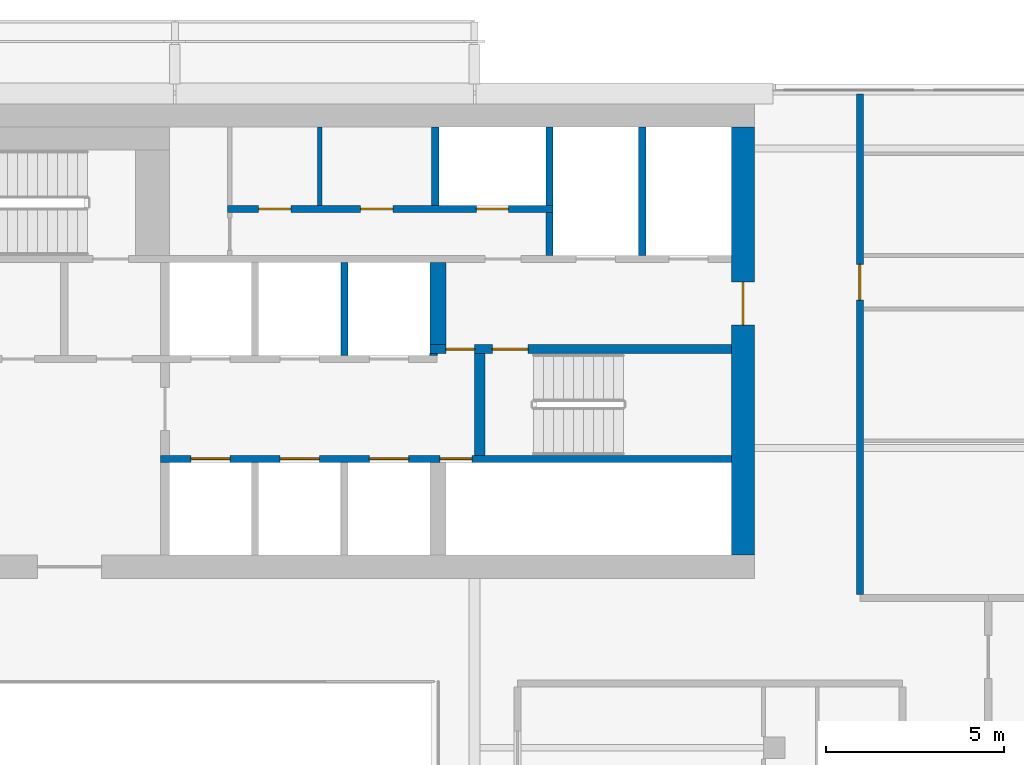
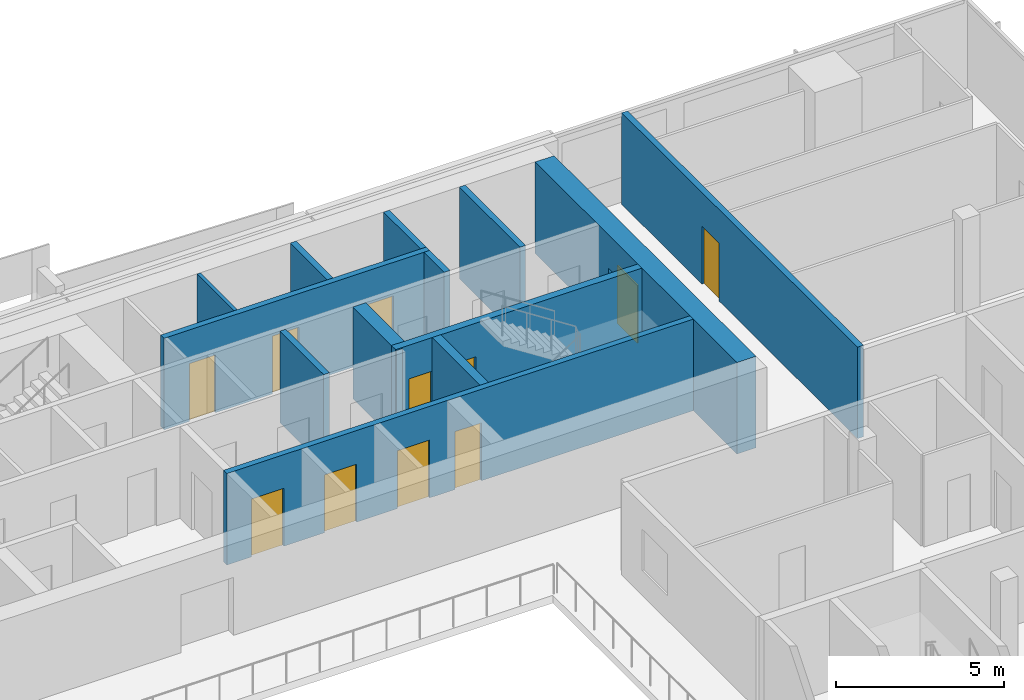
# One storey, part 23 of 27: 14 walls, 11 doors, 11 openings.
"""IFC4 building model written with IfcOpenShell, lengths in metres."""

import ifcopenshell
import ifcopenshell.guid

model = None  # the IFC model being written
_history = None  # IfcOwnerHistory: only IFC2X3 demands one
_inside = {}  # id of a spatial element -> (the spatial element, [elements in it])
_under = {}  # id of a project, library or spatial element -> (it, [spatial elements below it])
_declared = {}  # id of a project -> (the project, [libraries it declares])
_typed = {}  # id of a type object -> (the type object, [elements of that type])
_made_of = {}  # id of a material, layer set ... -> (it, [elements and type objects made of it])


def new_model(schema):
    """Start an empty IFC model of exactly this schema.

    Asked for "IFC4X3", IfcOpenShell would pick the latest addendum, in which some entities
    have other attributes; the version numbers below select the first issue.
    IFC2X3 requires an IfcOwnerHistory on every rooted entity: one is made here for all.
    """
    global model, _history
    if schema == "IFC4X3":
        model = ifcopenshell.file(schema_version=(4, 3, 0, 0))
    else:
        model = ifcopenshell.file(schema=schema)
    _inside.clear()
    _under.clear()
    _declared.clear()
    _typed.clear()
    _made_of.clear()
    _history = None
    if model.schema == "IFC2X3":
        org = make("IfcOrganization", Name="unknown")
        user = make(
            "IfcPersonAndOrganization",
            ThePerson=make("IfcPerson", FamilyName="unknown"),
            TheOrganization=org,
        )
        app = make(
            "IfcApplication",
            ApplicationDeveloper=org,
            Version="unknown",
            ApplicationFullName="unknown",
            ApplicationIdentifier="unknown",
        )
        _history = make(
            "IfcOwnerHistory",
            OwningUser=user,
            OwningApplication=app,
            ChangeAction="ADDED",
            CreationDate=0,
        )
    return model


def make(cls, **values):
    """One entity of the class cls with the attributes given. An attribute that is None is left unset."""
    return model.create_entity(
        cls, **{name: value for name, value in values.items() if value is not None}
    )


def rooted(cls, **values):
    """An entity with a GlobalId (a new one), such as an element, a storey or a relation."""
    return make(cls, GlobalId=ifcopenshell.guid.new(), OwnerHistory=_history, **values)


def si_unit(unit_type, name, prefix=None):
    """IfcSIUnit, for example si_unit("LENGTHUNIT", "METRE", prefix="MILLI")."""
    return make("IfcSIUnit", UnitType=unit_type, Prefix=prefix, Name=name)


def assignment(units):
    """IfcUnitAssignment: the units of a project."""
    return None if units is None else make("IfcUnitAssignment", Units=units)


def point(xyz):
    """IfcCartesianPoint."""
    return None if xyz is None else make("IfcCartesianPoint", Coordinates=xyz)


def direction(xyz):
    """IfcDirection."""
    return None if xyz is None else make("IfcDirection", DirectionRatios=xyz)


def frame(location, z_axis=None, x_axis=None):
    """IfcAxis2Placement3D, a coordinate frame: its origin and axes. An axis left out is left unset."""
    return make(
        "IfcAxis2Placement3D",
        Location=point(location),
        Axis=direction(z_axis),
        RefDirection=direction(x_axis),
    )


def frame_2d(location, x_axis=None):
    """IfcAxis2Placement2D, a coordinate frame in the plane: its origin and x axis."""
    return make(
        "IfcAxis2Placement2D", Location=point(location), RefDirection=direction(x_axis)
    )


def origin():
    """The frame at (0, 0, 0) with its axes left unset."""
    return frame((0.0, 0.0, 0.0))


def place(relative_to, where):
    """IfcLocalPlacement: puts the frame where relative to a parent placement (None: the world)."""
    return make(
        "IfcLocalPlacement", PlacementRelTo=relative_to, RelativePlacement=where
    )


def context(
    kind, dimensions, precision=None, world=None, true_north=None, identifier=None
):
    """IfcGeometricRepresentationContext, for example the 3D "Model" context."""
    return make(
        "IfcGeometricRepresentationContext",
        ContextIdentifier=identifier,
        ContextType=kind,
        CoordinateSpaceDimension=dimensions,
        Precision=precision,
        WorldCoordinateSystem=world,
        TrueNorth=true_north,
    )


def subcontext(parent, identifier, kind, view, scale=None):
    """IfcGeometricRepresentationSubContext, for example "Body" below "Model"."""
    return make(
        "IfcGeometricRepresentationSubContext",
        ContextIdentifier=identifier,
        ContextType=kind,
        ParentContext=parent,
        TargetScale=scale,
        TargetView=view,
    )


def project(units=None, contexts=None):
    """IfcProject with its units and contexts."""
    return rooted(
        "IfcProject",
        Name="project",
        RepresentationContexts=contexts,
        UnitsInContext=assignment(units),
    )


def spatial(cls, under=None, at=None, **own):
    """A site, building, storey or space (cls), placed at a placement, below another one or the project."""
    s = rooted(cls, ObjectPlacement=at, **own)
    if under is not None:
        _under.setdefault(under.id(), (under, []))[1].append(s)
    return s


def profile(cls, at=None, kind="AREA", **sizes):
    """A parametric profile (cls). Its sizes go by their IFC names, for example OverallWidth=200.0."""
    return make(cls, ProfileType=kind, Position=at, **sizes)


def rectangle(**sizes):
    """IfcRectangleProfileDef."""
    return profile("IfcRectangleProfileDef", **sizes)


def extrude(swept, where, along, depth):
    """IfcExtrudedAreaSolid: the profile swept, set in the frame where, extruded along a direction by depth."""
    return make(
        "IfcExtrudedAreaSolid",
        SweptArea=swept,
        Position=where,
        ExtrudedDirection=direction(along),
        Depth=depth,
    )


def shape(context_of_items, identifier, shape_type, items):
    """IfcShapeRepresentation: the items that make up one representation, for example the "Body"."""
    return make(
        "IfcShapeRepresentation",
        ContextOfItems=context_of_items,
        RepresentationIdentifier=identifier,
        RepresentationType=shape_type,
        Items=items,
    )


def material(Name=None, Category=None):
    """IfcMaterial."""
    return make("IfcMaterial", Name=Name, Category=Category)


def layer(
    of_material, thickness, ventilated=None, Name=None, Category=None, Priority=None
):
    """IfcMaterialLayer: one layer of a wall or slab, of a material (None: an air gap)."""
    return make(
        "IfcMaterialLayer",
        Material=of_material,
        LayerThickness=thickness,
        IsVentilated=ventilated,
        Name=Name,
        Category=Category,
        Priority=Priority,
    )


def layer_set(layers, Name=None):
    """IfcMaterialLayerSet."""
    return make("IfcMaterialLayerSet", MaterialLayers=layers, LayerSetName=Name)


def made_of(thing, what):
    """Note that an element or type object is made of a material, layer set ...; save() writes the relation."""
    if what is not None:
        _made_of.setdefault(what.id(), (what, []))[1].append(thing)
    return thing


def type_object(cls, material=None, **own):
    """A type object (cls), such as IfcWallType, which elements share."""
    return made_of(rooted(cls, **own), material)


def element(
    cls,
    number,
    at=None,
    inside=None,
    cuts=None,
    type_object=None,
    material=None,
    context=None,
    identifier="Body",
    shape_type=None,
    held_by="IfcProductDefinitionShape",
    body=None,
    shapes=None,
    **own,
):
    """One element of the class cls, such as IfcWall. Its Tag is "e" and its number.

    at: its placement. inside: the storey or other place that contains it. cuts: it is an
    opening in that element (IfcRelVoidsElement). A single representation is given by context,
    identifier, shape_type and body (its items); several are given by shapes. held_by: the class
    of the entity that holds the representations. save() writes the other relations.
    """
    e = rooted(cls, Tag="e%d" % number, ObjectPlacement=at, **own)
    if body is not None:
        shapes = [shape(context, identifier, shape_type, body)]
    if shapes is not None:
        e.Representation = make(held_by, Representations=shapes)
    if inside is not None:
        _inside.setdefault(inside.id(), (inside, []))[1].append(e)
    if cuts is not None:
        rooted(
            "IfcRelVoidsElement", RelatingBuildingElement=cuts, RelatedOpeningElement=e
        )
    if type_object is not None:
        _typed.setdefault(type_object.id(), (type_object, []))[1].append(e)
    return made_of(e, material)


def fill(opening, filler):
    """IfcRelFillsElement: the door or window that sits in an opening."""
    return rooted(
        "IfcRelFillsElement",
        RelatingOpeningElement=opening,
        RelatedBuildingElement=filler,
    )


def aggregate(whole, parts):
    """IfcRelAggregates: a whole, such as a stair, and the parts it consists of."""
    return rooted("IfcRelAggregates", RelatingObject=whole, RelatedObjects=parts)


def save(model, path):
    """Write the relations noted so far, then the file.

    IfcRelAggregates (storeys below a building ...), IfcRelContainedInSpatialStructure (elements
    in a storey), IfcRelDefinesByType, IfcRelAssociatesMaterial and IfcRelDeclares: one each for
    every whole, place, type object, material and project.
    """
    for whole, parts in _under.values():
        aggregate(whole, parts)
    for where, things in _inside.values():
        rooted(
            "IfcRelContainedInSpatialStructure",
            RelatedElements=things,
            RelatingStructure=where,
        )
    for kind, things in _typed.values():
        rooted("IfcRelDefinesByType", RelatedObjects=things, RelatingType=kind)
    for what, things in _made_of.values():
        rooted("IfcRelAssociatesMaterial", RelatedObjects=things, RelatingMaterial=what)
    for by, libraries in _declared.values():
        rooted("IfcRelDeclares", RelatingContext=by, RelatedDefinitions=libraries)
    model.write(path)


model = new_model("IFC4")

# Units and contexts
model_context = context("Model", 3, precision=1e-05, world=origin(), true_north=direction((0.0, 1.0)))
body_context = subcontext(model_context, "Body", "Model", "MODEL_VIEW")
ifc_project = project(units=[si_unit("LENGTHUNIT", "METRE"), si_unit("AREAUNIT", "SQUARE_METRE"), si_unit("VOLUMEUNIT", "CUBIC_METRE"), si_unit("PLANEANGLEUNIT", "RADIAN"), si_unit("MASSUNIT", "GRAM", prefix="KILO")], contexts=[model_context])

# Site, building, storey
site_placement = place(None, origin())
site = spatial("IfcSite", under=ifc_project, at=site_placement, CompositionType="ELEMENT")
building_placement = place(site_placement, origin())
building = spatial("IfcBuilding", under=site, at=building_placement, Name="Saffron Gate Tower", CompositionType="ELEMENT")
storey_placement = place(building_placement, frame((0.0, 0.0, 209.10009765625)))
storey = spatial("IfcBuildingStorey", under=building, at=storey_placement, Name="L50", CompositionType="ELEMENT", Elevation=209.10009765625)

# Wall, openings, doors
ifc_material_1 = material(Name="Concrete C60", Category="concrete")
ifc_layer_1 = layer(ifc_material_1, 0.25)
ifc_layer_set_1 = layer_set([ifc_layer_1], Name="CW14 RC core wall 250 C60")
wall_type_1 = type_object("IfcWallType", Name="CW14 RC core wall 250 C60", PredefinedType="SOLIDWALL", material=ifc_layer_set_1)
wall_1_placement = place(storey_placement, frame((98.949951171875, 68.175048828125, 0.0), z_axis=(0.0, 0.0, 1.0), x_axis=(1.0, 0.0, 0.0)))
wall_1 = element("IfcWall", 1, at=wall_1_placement, inside=storey, type_object=wall_type_1, Name="Wall CW14-L50-28", PredefinedType="SOLIDWALL", context=body_context, shape_type="SweptSolid", body=[
    extrude(rectangle(XDim=8.449951171875, YDim=0.25, at=frame_2d((4.22509765625, 0.0))), origin(), (0.0, 0.0, 1.0), 3.31982421875),
])
opening_1_placement = place(wall_1_placement, frame((0.449951171875, 0.0, 0.0)))
opening_1 = element("IfcOpeningElement", 2, at=opening_1_placement, cuts=wall_1, Name="Opening CR-05", PredefinedType="OPENING", context=body_context, shape_type="SweptSolid", body=[
    extrude(rectangle(XDim=0.800048828125, YDim=2.10009765625, at=frame_2d((0.39990234375, 1.050048828125))), frame((0.0, 0.135009765625, 0.0), z_axis=(0.0, -1.0, 0.0), x_axis=(1.0, 0.0, 0.0)), (0.0, 0.0, 1.0), 0.27001953125),
])
opening_2_placement = place(wall_1_placement, frame((1.75, 0.0, 0.0)))
opening_2 = element("IfcOpeningElement", 3, at=opening_2_placement, cuts=wall_1, Name="Opening CR-16", PredefinedType="OPENING", context=body_context, shape_type="SweptSolid", body=[
    extrude(rectangle(XDim=1.0, YDim=2.10009765625, at=frame_2d((0.5, 1.050048828125))), frame((0.0, 0.135009765625, 0.0), z_axis=(0.0, -1.0, 0.0), x_axis=(1.0, 0.0, 0.0)), (0.0, 0.0, 1.0), 0.27001953125),
])
ifc_material_2 = material(Name="Steel fire door set", Category="steel")
door_type_1 = type_object("IfcDoorType", Name="CD5 Stair door 1000x2100 EI 120", OperationType="NOTDEFINED", PredefinedType="DOOR", material=ifc_material_2)
door_1_placement = place(opening_2_placement, origin())
door_1 = element("IfcDoor", 4, at=door_1_placement, inside=storey, type_object=door_type_1, Name="DOOR CR-16", OperationType="SINGLE_SWING_RIGHT", OverallHeight=2.10009765625, OverallWidth=1.0, PredefinedType="DOOR", context=body_context, shape_type="SweptSolid", body=[
    extrude(rectangle(XDim=1.0, YDim=2.10009765625, at=frame_2d((0.5, 1.050048828125))), frame((0.0, 0.02490234375, 0.0), z_axis=(0.0, -1.0, 0.0), x_axis=(1.0, 0.0, 0.0)), (0.0, 0.0, 1.0), 0.050048828125),
])
fill(opening_2, door_1)
door_type_2 = type_object("IfcDoorType", Name="CD6 Lobby door 800x2100 EI 120", OperationType="NOTDEFINED", PredefinedType="DOOR", material=ifc_material_2)
door_2_placement = place(opening_1_placement, origin())
door_2 = element("IfcDoor", 5, at=door_2_placement, inside=storey, type_object=door_type_2, Name="DOOR CR-05", OperationType="SINGLE_SWING_LEFT", OverallHeight=2.10009765625, OverallWidth=0.800048828125, PredefinedType="DOOR", context=body_context, shape_type="SweptSolid", body=[
    extrude(rectangle(XDim=0.800048828125, YDim=2.10009765625, at=frame_2d((0.39990234375, 1.050048828125))), frame((0.0, 0.02490234375, 0.0), z_axis=(0.0, -1.0, 0.0), x_axis=(1.0, 0.0, 0.0)), (0.0, 0.0, 1.0), 0.050048828125),
])
fill(opening_1, door_2)

ifc_layer_2 = layer(ifc_material_1, 0.199951171875)
ifc_layer_set_2 = layer_set([ifc_layer_2], Name="CW15 RC core wall 200 C60")
wall_type_2 = type_object("IfcWallType", Name="CW15 RC core wall 200 C60", PredefinedType="SOLIDWALL", material=ifc_layer_set_2)
wall_2_placement = place(storey_placement, frame((91.39990234375, 65.10009765625, 0.0), z_axis=(0.0, 0.0, 1.0), x_axis=(1.0, 0.0, 0.0)))
wall_2 = element("IfcWall", 6, at=wall_2_placement, inside=storey, type_object=wall_type_2, Name="Wall CW15-L50-13", PredefinedType="SOLIDWALL", context=body_context, shape_type="SweptSolid", body=[
    extrude(rectangle(XDim=16.0, YDim=0.199951171875, at=frame_2d((8.0, 0.0))), origin(), (0.0, 0.0, 1.0), 3.31982421875),
])
opening_3_placement = place(wall_2_placement, frame((0.85009765625, 0.0, 0.0)))
opening_3 = element("IfcOpeningElement", 7, at=opening_3_placement, cuts=wall_2, Name="Opening LD-HR1", PredefinedType="OPENING", context=body_context, shape_type="SweptSolid", body=[
    extrude(rectangle(XDim=1.10009765625, YDim=2.10009765625, at=frame_2d((0.550048828125, 1.050048828125))), frame((0.0, 0.10986328125, 0.0), z_axis=(0.0, -1.0, 0.0), x_axis=(1.0, 0.0, 0.0)), (0.0, 0.0, 1.0), 0.219970703125),
])
opening_4_placement = place(wall_2_placement, frame((3.35009765625, 0.0, 0.0)))
opening_4 = element("IfcOpeningElement", 8, at=opening_4_placement, cuts=wall_2, Name="Opening LD-HR2", PredefinedType="OPENING", context=body_context, shape_type="SweptSolid", body=[
    extrude(rectangle(XDim=1.10009765625, YDim=2.10009765625, at=frame_2d((0.550048828125, 1.050048828125))), frame((0.0, 0.10986328125, 0.0), z_axis=(0.0, -1.0, 0.0), x_axis=(1.0, 0.0, 0.0)), (0.0, 0.0, 1.0), 0.219970703125),
])
opening_5_placement = place(wall_2_placement, frame((5.85009765625, 0.0, 0.0)))
opening_5 = element("IfcOpeningElement", 9, at=opening_5_placement, cuts=wall_2, Name="Opening LD-HR3", PredefinedType="OPENING", context=body_context, shape_type="SweptSolid", body=[
    extrude(rectangle(XDim=1.10009765625, YDim=2.10009765625, at=frame_2d((0.550048828125, 1.050048828125))), frame((0.0, 0.10986328125, 0.0), z_axis=(0.0, -1.0, 0.0), x_axis=(1.0, 0.0, 0.0)), (0.0, 0.0, 1.0), 0.219970703125),
])
opening_6_placement = place(wall_2_placement, frame((7.830078125, 0.0, 0.0)))
opening_6 = element("IfcOpeningElement", 10, at=opening_6_placement, cuts=wall_2, Name="Opening CR-48", PredefinedType="OPENING", context=body_context, shape_type="SweptSolid", body=[
    extrude(rectangle(XDim=0.89990234375, YDim=2.10009765625, at=frame_2d((0.449951171875, 1.050048828125))), frame((0.0, 0.10986328125, 0.0), z_axis=(0.0, -1.0, 0.0), x_axis=(1.0, 0.0, 0.0)), (0.0, 0.0, 1.0), 0.219970703125),
])
door_type_3 = type_object("IfcDoorType", Name="CD2 Riser door 900x2100 EI 60", OperationType="NOTDEFINED", PredefinedType="DOOR", material=ifc_material_2)
door_3_placement = place(opening_6_placement, origin())
door_3 = element("IfcDoor", 11, at=door_3_placement, inside=storey, type_object=door_type_3, Name="DOOR CR-48", OperationType="SINGLE_SWING_RIGHT", OverallHeight=2.10009765625, OverallWidth=0.89990234375, PredefinedType="DOOR", context=body_context, shape_type="SweptSolid", body=[
    extrude(rectangle(XDim=0.89990234375, YDim=2.10009765625, at=frame_2d((0.449951171875, 1.050048828125))), frame((0.0, 0.02490234375, 0.0), z_axis=(0.0, -1.0, 0.0), x_axis=(1.0, 0.0, 0.0)), (0.0, 0.0, 1.0), 0.050048828125),
])
fill(opening_6, door_3)
ifc_material_3 = material(Name="Stainless steel landing door", Category="steel")
door_type_4 = type_object("IfcDoorType", Name="LD Lift landing door 1100x2100 EI 120", OperationType="SLIDING_TO_LEFT", PredefinedType="DOOR", material=ifc_material_3)
door_4_placement = place(opening_3_placement, origin())
door_4 = element("IfcDoor", 12, at=door_4_placement, inside=storey, type_object=door_type_4, Name="LANDING DOOR LD-HR1", OperationType="SLIDING_TO_LEFT", OverallHeight=2.10009765625, OverallWidth=1.10009765625, PredefinedType="DOOR", context=body_context, shape_type="SweptSolid", body=[
    extrude(rectangle(XDim=1.10009765625, YDim=2.10009765625, at=frame_2d((0.550048828125, 1.050048828125))), frame((0.0, 0.02490234375, 0.0), z_axis=(0.0, -1.0, 0.0), x_axis=(1.0, 0.0, 0.0)), (0.0, 0.0, 1.0), 0.050048828125),
])
fill(opening_3, door_4)
door_5_placement = place(opening_4_placement, origin())
door_5 = element("IfcDoor", 13, at=door_5_placement, inside=storey, type_object=door_type_4, Name="LANDING DOOR LD-HR2", OperationType="SLIDING_TO_LEFT", OverallHeight=2.10009765625, OverallWidth=1.10009765625, PredefinedType="DOOR", context=body_context, shape_type="SweptSolid", body=[
    extrude(rectangle(XDim=1.10009765625, YDim=2.10009765625, at=frame_2d((0.550048828125, 1.050048828125))), frame((0.0, 0.02490234375, 0.0), z_axis=(0.0, -1.0, 0.0), x_axis=(1.0, 0.0, 0.0)), (0.0, 0.0, 1.0), 0.050048828125),
])
fill(opening_4, door_5)
door_6_placement = place(opening_5_placement, origin())
door_6 = element("IfcDoor", 14, at=door_6_placement, inside=storey, type_object=door_type_4, Name="LANDING DOOR LD-HR3", OperationType="SLIDING_TO_LEFT", OverallHeight=2.10009765625, OverallWidth=1.10009765625, PredefinedType="DOOR", context=body_context, shape_type="SweptSolid", body=[
    extrude(rectangle(XDim=1.10009765625, YDim=2.10009765625, at=frame_2d((0.550048828125, 1.050048828125))), frame((0.0, 0.02490234375, 0.0), z_axis=(0.0, -1.0, 0.0), x_axis=(1.0, 0.0, 0.0)), (0.0, 0.0, 1.0), 0.050048828125),
])
fill(opening_5, door_6)

# Walls
wall_3_placement = place(storey_placement, frame((96.550048828125, 68.0, 0.0), z_axis=(0.0, 0.0, 1.0), x_axis=(0.0, 1.0, 0.0)))
element("IfcWall", 15, at=wall_3_placement, inside=storey, type_object=wall_type_2, Name="Wall CW15-L50-25", PredefinedType="SOLIDWALL", context=body_context, shape_type="SweptSolid", body=[
    extrude(rectangle(XDim=2.60009765625, YDim=0.199951171875, at=frame_2d((1.300048828125, 0.0))), origin(), (0.0, 0.0, 1.0), 3.31982421875),
])
wall_4_placement = place(storey_placement, frame((102.300048828125, 70.800048828125, 0.0), z_axis=(0.0, 0.0, 1.0), x_axis=(0.0, 1.0, 0.0)))
element("IfcWall", 16, at=wall_4_placement, inside=storey, type_object=wall_type_2, Name="Wall CW15-L50-38", PredefinedType="SOLIDWALL", context=body_context, shape_type="SweptSolid", body=[
    extrude(rectangle(XDim=1.199951171875, YDim=0.199951171875, at=frame_2d((0.60009765625, 0.0))), origin(), (0.0, 0.0, 1.0), 3.31982421875),
])
wall_5_placement = place(storey_placement, frame((104.89990234375, 70.800048828125, 0.0), z_axis=(0.0, 0.0, 1.0), x_axis=(0.0, 1.0, 0.0)))
element("IfcWall", 17, at=wall_5_placement, inside=storey, type_object=wall_type_2, Name="Wall CW15-L50-39", PredefinedType="SOLIDWALL", context=body_context, shape_type="SweptSolid", body=[
    extrude(rectangle(XDim=3.599853515625, YDim=0.199951171875, at=frame_2d((1.7998046875, 0.0))), origin(), (0.0, 0.0, 1.0), 3.31982421875),
])

# Wall, openings, doors
wall_6_placement = place(storey_placement, frame((93.280029296875, 72.10009765625, 0.0), z_axis=(0.0, 0.0, 1.0), x_axis=(1.0, 0.0, 0.0)))
wall_6 = element("IfcWall", 18, at=wall_6_placement, inside=storey, type_object=wall_type_2, Name="Wall CW15-L50-41", PredefinedType="SOLIDWALL", context=body_context, shape_type="SweptSolid", body=[
    extrude(rectangle(XDim=9.119873046875, YDim=0.199951171875, at=frame_2d((4.56005859375, 0.0))), origin(), (0.0, 0.0, 1.0), 3.31982421875),
])
opening_7_placement = place(wall_6_placement, frame((0.8701171875, 0.0, 0.0)))
opening_7 = element("IfcOpeningElement", 19, at=opening_7_placement, cuts=wall_6, Name="Opening CR-50", PredefinedType="OPENING", context=body_context, shape_type="SweptSolid", body=[
    extrude(rectangle(XDim=0.89990234375, YDim=2.10009765625, at=frame_2d((0.449951171875, 1.050048828125))), frame((0.0, 0.10986328125, 0.0), z_axis=(0.0, -1.0, 0.0), x_axis=(1.0, 0.0, 0.0)), (0.0, 0.0, 1.0), 0.219970703125),
])
opening_8_placement = place(wall_6_placement, frame((3.72998046875, 0.0, 0.0)))
opening_8 = element("IfcOpeningElement", 20, at=opening_8_placement, cuts=wall_6, Name="Opening CR-53", PredefinedType="OPENING", context=body_context, shape_type="SweptSolid", body=[
    extrude(rectangle(XDim=0.89990234375, YDim=2.10009765625, at=frame_2d((0.449951171875, 1.050048828125))), frame((0.0, 0.10986328125, 0.0), z_axis=(0.0, -1.0, 0.0), x_axis=(1.0, 0.0, 0.0)), (0.0, 0.0, 1.0), 0.219970703125),
])
opening_9_placement = place(wall_6_placement, frame((6.969970703125, 0.0, 0.0)))
opening_9 = element("IfcOpeningElement", 21, at=opening_9_placement, cuts=wall_6, Name="Opening CR-70", PredefinedType="OPENING", context=body_context, shape_type="SweptSolid", body=[
    extrude(rectangle(XDim=0.89990234375, YDim=2.10009765625, at=frame_2d((0.449951171875, 1.050048828125))), frame((0.0, 0.10986328125, 0.0), z_axis=(0.0, -1.0, 0.0), x_axis=(1.0, 0.0, 0.0)), (0.0, 0.0, 1.0), 0.219970703125),
])
door_7_placement = place(opening_9_placement, origin())
door_7 = element("IfcDoor", 22, at=door_7_placement, inside=storey, type_object=door_type_3, Name="DOOR CR-70", OperationType="SINGLE_SWING_LEFT", OverallHeight=2.10009765625, OverallWidth=0.89990234375, PredefinedType="DOOR", context=body_context, shape_type="SweptSolid", body=[
    extrude(rectangle(XDim=0.89990234375, YDim=2.10009765625, at=frame_2d((0.449951171875, 1.050048828125))), frame((0.0, 0.02490234375, 0.0), z_axis=(0.0, -1.0, 0.0), x_axis=(1.0, 0.0, 0.0)), (0.0, 0.0, 1.0), 0.050048828125),
])
fill(opening_9, door_7)
door_type_5 = type_object("IfcDoorType", Name="CD9 Room door 900x2100 EI 60", OperationType="NOTDEFINED", PredefinedType="DOOR", material=ifc_material_2)
door_8_placement = place(opening_7_placement, origin())
door_8 = element("IfcDoor", 23, at=door_8_placement, inside=storey, type_object=door_type_5, Name="DOOR CR-50", OperationType="SINGLE_SWING_LEFT", OverallHeight=2.10009765625, OverallWidth=0.89990234375, PredefinedType="DOOR", context=body_context, shape_type="SweptSolid", body=[
    extrude(rectangle(XDim=0.89990234375, YDim=2.10009765625, at=frame_2d((0.449951171875, 1.050048828125))), frame((0.0, 0.02490234375, 0.0), z_axis=(0.0, -1.0, 0.0), x_axis=(1.0, 0.0, 0.0)), (0.0, 0.0, 1.0), 0.050048828125),
])
fill(opening_7, door_8)
door_9_placement = place(opening_8_placement, origin())
door_9 = element("IfcDoor", 24, at=door_9_placement, inside=storey, type_object=door_type_5, Name="DOOR CR-53", OperationType="SINGLE_SWING_LEFT", OverallHeight=2.10009765625, OverallWidth=0.89990234375, PredefinedType="DOOR", context=body_context, shape_type="SweptSolid", body=[
    extrude(rectangle(XDim=0.89990234375, YDim=2.10009765625, at=frame_2d((0.449951171875, 1.050048828125))), frame((0.0, 0.02490234375, 0.0), z_axis=(0.0, -1.0, 0.0), x_axis=(1.0, 0.0, 0.0)), (0.0, 0.0, 1.0), 0.050048828125),
])
fill(opening_8, door_9)

# Walls
for number, where, z_axis, x_axis, name in (
    (25, (99.10009765625, 72.199951171875, 0.0), (0.0, 0.0, 1.0), (0.0, 1.0, 0.0), "Wall CW15-L50-48"),
    (26, (102.300048828125, 72.199951171875, 0.0), (0.0, 0.0, 1.0), (0.0, 1.0, 0.0), "Wall CW15-L50-49"),
):
    element("IfcWall", number, at=place(storey_placement, frame(where, z_axis=z_axis, x_axis=x_axis)), inside=storey, type_object=wall_type_2, Name=name, PredefinedType="SOLIDWALL", context=body_context, shape_type="SweptSolid", body=[
        extrude(rectangle(XDim=2.199951171875, YDim=0.199951171875, at=frame_2d((1.10009765625, 0.0))), origin(), (0.0, 0.0, 1.0), 3.31982421875),
    ])
ifc_layer_3 = layer(ifc_material_1, 0.449951171875)
ifc_layer_set_3 = layer_set([ifc_layer_3], Name="CW16 RC core wall 450 C60")
wall_type_3 = type_object("IfcWallType", Name="CW16 RC core wall 450 C60", PredefinedType="SOLIDWALL", material=ifc_layer_set_3)
wall_7_placement = place(storey_placement, frame((99.175048828125, 68.300048828125, 0.0), z_axis=(0.0, 0.0, 1.0), x_axis=(0.0, 1.0, 0.0)))
element("IfcWall", 27, at=wall_7_placement, inside=storey, type_object=wall_type_3, Name="Wall CW16-L50-30", PredefinedType="SOLIDWALL", context=body_context, shape_type="SweptSolid", body=[
    extrude(rectangle(XDim=2.300048828125, YDim=0.449951171875, at=frame_2d((1.14990234375, 0.0))), origin(), (0.0, 0.0, 1.0), 3.31982421875),
])
ifc_layer_4 = layer(ifc_material_1, 0.300048828125)
ifc_layer_set_4 = layer_set([ifc_layer_4], Name="CW17 RC core wall 300 C60")
wall_type_4 = type_object("IfcWallType", Name="CW17 RC core wall 300 C60", PredefinedType="SOLIDWALL", material=ifc_layer_set_4)
wall_8_placement = place(storey_placement, frame((100.35009765625, 65.199951171875, 0.0), z_axis=(0.0, 0.0, 1.0), x_axis=(0.0, 1.0, 0.0)))
element("IfcWall", 28, at=wall_8_placement, inside=storey, type_object=wall_type_4, Name="Wall CW17-L50-17", PredefinedType="SOLIDWALL", context=body_context, shape_type="SweptSolid", body=[
    extrude(rectangle(XDim=2.85009765625, YDim=0.300048828125, at=frame_2d((1.425048828125, 0.0))), origin(), (0.0, 0.0, 1.0), 3.31982421875),
])
ifc_layer_5 = layer(ifc_material_1, 0.050048828125)
ifc_layer_set_5 = layer_set([ifc_layer_5], Name="CW18 RC core wall 50 C60")
wall_type_5 = type_object("IfcWallType", Name="CW18 RC core wall 50 C60", PredefinedType="SOLIDWALL", material=ifc_layer_set_5)
wall_9_placement = place(storey_placement, frame((98.949951171875, 68.02490234375, 0.0), z_axis=(0.0, 0.0, 1.0), x_axis=(1.0, 0.0, 0.0)))
element("IfcWall", 29, at=wall_9_placement, inside=storey, type_object=wall_type_5, Name="Wall CW18-L50-26", PredefinedType="SOLIDWALL", context=body_context, shape_type="SweptSolid", body=[
    extrude(rectangle(XDim=0.199951171875, YDim=0.050048828125, at=frame_2d((0.10009765625, 0.0))), origin(), (0.0, 0.0, 1.0), 3.31982421875),
])

# Wall, opening, door
ifc_layer_6 = layer(ifc_material_1, 0.64990234375)
ifc_layer_set_6 = layer_set([ifc_layer_6], Name="CW20 RC core wall 650 C60")
wall_type_6 = type_object("IfcWallType", Name="CW20 RC core wall 650 C60", PredefinedType="SOLIDWALL", material=ifc_layer_set_6)
wall_10_placement = place(storey_placement, frame((107.72509765625, 62.39990234375, 0.0), z_axis=(0.0, 0.0, 1.0), x_axis=(0.0, 1.0, 0.0)))
wall_10 = element("IfcWall", 30, at=wall_10_placement, inside=storey, type_object=wall_type_6, Name="Wall CW20-L50-4", PredefinedType="SOLIDWALL", context=body_context, shape_type="SweptSolid", body=[
    extrude(rectangle(XDim=12.0, YDim=0.64990234375, at=frame_2d((6.0, 0.0))), origin(), (0.0, 0.0, 1.0), 3.31982421875),
])
opening_10_placement = place(wall_10_placement, frame((6.449951171875, 0.0, 0.0)))
opening_10 = element("IfcOpeningElement", 31, at=opening_10_placement, cuts=wall_10, Name="Opening CR-08", PredefinedType="OPENING", context=body_context, shape_type="SweptSolid", body=[
    extrude(rectangle(XDim=1.199951171875, YDim=2.10009765625, at=frame_2d((0.60009765625, 1.050048828125))), frame((0.0, 0.3349609375, 0.0), z_axis=(0.0, -1.0, 0.0), x_axis=(1.0, 0.0, 0.0)), (0.0, 0.0, 1.0), 0.669921875),
])
door_type_6 = type_object("IfcDoorType", Name="CD7 Core entrance door 1200x2100 EI 120", OperationType="NOTDEFINED", PredefinedType="DOOR", material=ifc_material_2)
door_10_placement = place(opening_10_placement, origin())
door_10 = element("IfcDoor", 32, at=door_10_placement, inside=storey, type_object=door_type_6, Name="DOOR CR-08", OperationType="SINGLE_SWING_RIGHT", OverallHeight=2.10009765625, OverallWidth=1.199951171875, PredefinedType="DOOR", context=body_context, shape_type="SweptSolid", body=[
    extrude(rectangle(XDim=1.199951171875, YDim=2.10009765625, at=frame_2d((0.60009765625, 1.050048828125))), frame((0.0, 0.02490234375, 0.0), z_axis=(0.0, -1.0, 0.0), x_axis=(1.0, 0.0, 0.0)), (0.0, 0.0, 1.0), 0.050048828125),
])
fill(opening_10, door_10)

# Wall
ifc_material_4 = material(Name="Gypsum board partition on steel studs", Category="steel")
ifc_layer_7 = layer(ifc_material_4, 0.1201171875)
ifc_layer_set_7 = layer_set([ifc_layer_7], Name="CW8 Core partition 120")
wall_type_7 = type_object("IfcWallType", Name="CW8 Core partition 120", PredefinedType="PARTITIONING", material=ifc_layer_set_7)
wall_11_placement = place(storey_placement, frame((95.860107421875, 72.199951171875, 0.0), z_axis=(0.0, 0.0, 1.0), x_axis=(0.0, 1.0, 0.0)))
element("IfcWall", 33, at=wall_11_placement, inside=storey, type_object=wall_type_7, Name="Wall CW8-L50-47", PredefinedType="PARTITIONING", context=body_context, shape_type="SweptSolid", body=[
    extrude(rectangle(XDim=2.199951171875, YDim=0.1201171875, at=frame_2d((1.10009765625, 0.0))), origin(), (0.0, 0.0, 1.0), 3.31982421875),
])

# Wall, opening, door
ifc_material_5 = material(Name="Clay brick masonry, rendered", Category="masonry")
ifc_layer_8 = layer(ifc_material_5, 0.199951171875)
ifc_layer_set_8 = layer_set([ifc_layer_8], Name="PW3 Corridor wall 200")
wall_type_8 = type_object("IfcWallType", Name="PW3 Corridor wall 200", PredefinedType="PARTITIONING", material=ifc_layer_set_8)
wall_12_placement = place(storey_placement, frame((111.0, 75.320068359375, 0.0), z_axis=(0.0, 0.0, 1.0), x_axis=(0.0, -1.0, 0.0)))
wall_12 = element("IfcWall", 34, at=wall_12_placement, inside=storey, type_object=wall_type_8, Name="Wall D1-90", PredefinedType="PARTITIONING", context=body_context, shape_type="SweptSolid", body=[
    extrude(rectangle(XDim=14.02001953125, YDim=0.199951171875, at=frame_2d((7.010009765625, 0.0))), origin(), (0.0, 0.0, 1.0), 3.31982421875),
])
opening_11_placement = place(wall_12_placement, frame((4.77001953125, 0.0, 0.0)))
opening_11 = element("IfcOpeningElement", 35, at=opening_11_placement, cuts=wall_12, Name="Opening D1-6", PredefinedType="OPENING", context=body_context, shape_type="SweptSolid", body=[
    extrude(rectangle(XDim=1.0, YDim=2.10009765625, at=frame_2d((0.5, 1.050048828125))), frame((0.0, 0.10986328125, 0.0), z_axis=(0.0, -1.0, 0.0), x_axis=(1.0, 0.0, 0.0)), (0.0, 0.0, 1.0), 0.219970703125),
])
ifc_material_6 = material(Name="Timber fire door set", Category="wood")
door_type_7 = type_object("IfcDoorType", Name="FD1 Flat entry door 1000x2100", OperationType="NOTDEFINED", PredefinedType="DOOR", material=ifc_material_6)
door_11_placement = place(opening_11_placement, origin())
door_11 = element("IfcDoor", 36, at=door_11_placement, inside=storey, type_object=door_type_7, Name="Door D1-6", OperationType="SINGLE_SWING_RIGHT", OverallHeight=2.10009765625, OverallWidth=1.0, PredefinedType="DOOR", context=body_context, shape_type="SweptSolid", body=[
    extrude(rectangle(XDim=1.0, YDim=2.10009765625, at=frame_2d((0.5, 1.050048828125))), frame((0.0, 0.02490234375, 0.0), z_axis=(0.0, -1.0, 0.0), x_axis=(1.0, 0.0, 0.0)), (0.0, 0.0, 1.0), 0.050048828125),
])
fill(opening_11, door_11)

save(model, "model.ifc")
